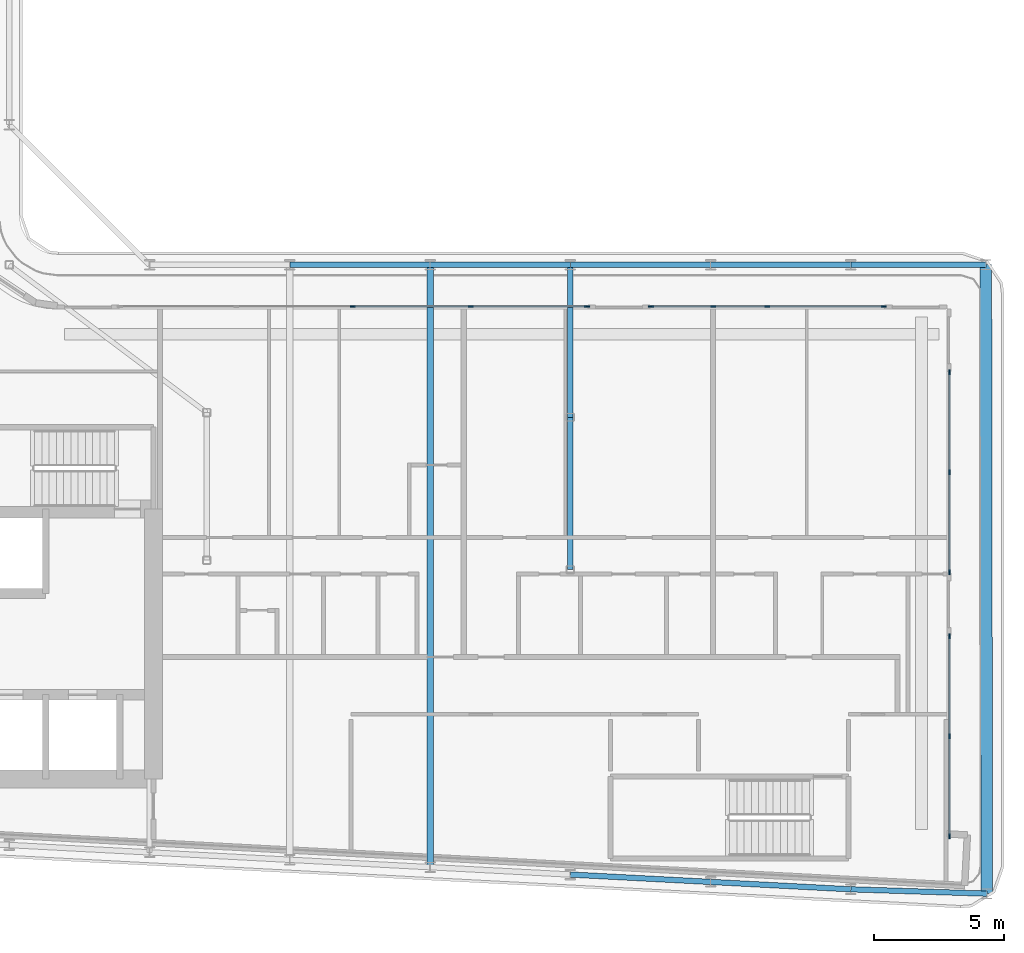
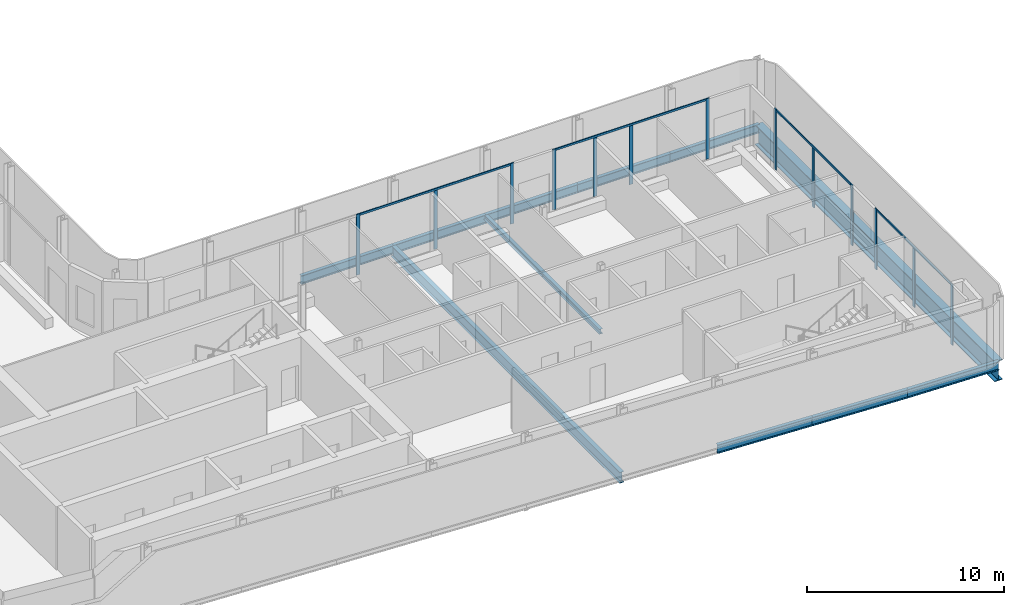
# One storey, part 5 of 21: 17 members, 12 beams, 5 elements without a shape of their own.
"""IFC4 building model written with IfcOpenShell, lengths in metres."""

from ifc_helpers import new_model, si_unit, direction, frame, origin, origin_2d, place, context, subcontext, project, spatial, rectangle, i_section, extrude, material, layer, layer_set, material_profile, profile_set, type_object, element, aggregate, save


model = new_model("IFC4")

# Units and contexts
model_context = context("Model", 3, precision=1e-05, world=origin(), true_north=direction((0.0, 1.0)))
body_context = subcontext(model_context, "Body", "Model", "MODEL_VIEW")
ifc_project = project(units=[si_unit("LENGTHUNIT", "METRE"), si_unit("AREAUNIT", "SQUARE_METRE"), si_unit("VOLUMEUNIT", "CUBIC_METRE"), si_unit("PLANEANGLEUNIT", "RADIAN"), si_unit("MASSUNIT", "GRAM", prefix="KILO")], contexts=[model_context])

# Site, building, storey
site_placement = place(None, origin())
site = spatial("IfcSite", under=ifc_project, at=site_placement, CompositionType="ELEMENT")
building_placement = place(site_placement, origin())
building = spatial("IfcBuilding", under=site, at=building_placement, Name="Kheshtan School and Residences Tower", CompositionType="ELEMENT")
storey_placement = place(building_placement, frame((0.0, 0.0, 220.10009765625)))
storey = spatial("IfcBuildingStorey", under=building, at=storey_placement, Name="L51", CompositionType="ELEMENT", Elevation=220.10009765625)

# Beams
ifc_material_1 = material(Name="Steel ASTM A992 Grade 50", Category="steel")
ifc_material_profile_1 = material_profile(ifc_material_1, i_section(OverallWidth=0.202880859375, OverallDepth=0.302978515625, WebThickness=0.007568359375, FlangeThickness=0.01318359375, FilletRadius=0.009033203125, at=origin_2d()), Name="W310x60")
ifc_profile_set_1 = profile_set([ifc_material_profile_1], Name="Steel ASTM A992 Grade 50")
beam_type_1 = type_object("IfcBeamType", Name="Beam FB1 W310x60 ASTM A992 Grade 50", PredefinedType="BEAM", material=ifc_profile_set_1)
beam_1_placement = place(storey_placement, frame((69.199951171875, 45.60009765625, -0.301513671875), z_axis=(0.0, -1.0, 0.0), x_axis=(1.0, 0.0, 0.0)))
element("IfcBeam", 1, at=beam_1_placement, inside=storey, type_object=beam_type_1, Name="Floor beam C064", PredefinedType="BEAM", context=body_context, shape_type="SweptSolid", body=[
    extrude(i_section(OverallWidth=0.202880859375, OverallDepth=0.302978515625, WebThickness=0.007568359375, FlangeThickness=0.01318359375, FilletRadius=0.009033203125, at=origin_2d()), origin(), (0.0, 0.0, 1.0), 5.8681640625),
])
beam_2_placement = place(storey_placement, frame((69.199951171875, 33.863037109375, -0.301513671875), z_axis=(0.0, 1.0, 0.0), x_axis=(-1.0, 0.0, 0.0)))
element("IfcBeam", 2, at=beam_2_placement, inside=storey, type_object=beam_type_1, Name="Floor beam IC", PredefinedType="BEAM", context=body_context, shape_type="SweptSolid", body=[
    extrude(i_section(OverallWidth=0.202880859375, OverallDepth=0.302978515625, WebThickness=0.007568359375, FlangeThickness=0.01318359375, FilletRadius=0.009033203125, at=origin_2d()), origin(), (0.0, 0.0, 1.0), 5.868896484375),
])
ifc_material_profile_2 = material_profile(ifc_material_1, i_section(OverallWidth=0.2529296875, OverallDepth=0.677978515625, WebThickness=0.01171875, FlangeThickness=0.016357421875, FilletRadius=0.0146484375, at=origin_2d()), Name="W690x125")
ifc_profile_set_2 = profile_set([ifc_material_profile_2], Name="Steel ASTM A992 Grade 50")
beam_type_2 = type_object("IfcBeamType", Name="Beam FB6 W690x125 ASTM A992 Grade 50", PredefinedType="BEAM", material=ifc_profile_set_2)
beam_3_placement = place(storey_placement, frame((63.800048828125, 22.410888671875, -0.489013671875), z_axis=(0.0, 1.0, 0.0), x_axis=(-1.0, 0.0, 0.0)))
element("IfcBeam", 3, at=beam_3_placement, inside=storey, type_object=beam_type_2, Name="Floor beam C016", PredefinedType="BEAM", context=body_context, shape_type="SweptSolid", body=[
    extrude(i_section(OverallWidth=0.2529296875, OverallDepth=0.677978515625, WebThickness=0.01171875, FlangeThickness=0.016357421875, FilletRadius=0.0146484375, at=origin_2d()), origin(), (0.0, 0.0, 1.0), 23.189208984375),
])
ifc_material_profile_3 = material_profile(ifc_material_1, i_section(OverallWidth=0.208984375, OverallDepth=0.532958984375, WebThickness=0.01025390625, FlangeThickness=0.015625, FilletRadius=0.013916015625, at=origin_2d()), Name="W530x92")
ifc_profile_set_3 = profile_set([ifc_material_profile_3], Name="Steel ASTM A992 Grade 50")
beam_type_3 = type_object("IfcBeamType", Name="Beam SP3 W530x92 ASTM A992 Grade 50", PredefinedType="BEAM", material=ifc_profile_set_3)
beam_4_placement = place(storey_placement, frame((58.39990234375, 45.60009765625, -0.41650390625), z_axis=(1.0, 0.0, 0.0), x_axis=(0.0, 1.0, 0.0)))
element("IfcBeam", 4, at=beam_4_placement, inside=storey, type_object=beam_type_3, Name="Spandrel beam C062-C063", PredefinedType="BEAM", context=body_context, shape_type="SweptSolid", body=[
    extrude(i_section(OverallWidth=0.208984375, OverallDepth=0.532958984375, WebThickness=0.01025390625, FlangeThickness=0.015625, FilletRadius=0.013916015625, at=origin_2d()), origin(), (0.0, 0.0, 1.0), 5.400146484375),
])
beam_5_placement = place(storey_placement, frame((63.800048828125, 45.60009765625, -0.41650390625), z_axis=(1.0, 0.0, 0.0), x_axis=(0.0, 1.0, 0.0)))
element("IfcBeam", 5, at=beam_5_placement, inside=storey, type_object=beam_type_3, Name="Spandrel beam C063-C064", PredefinedType="BEAM", context=body_context, shape_type="SweptSolid", body=[
    extrude(i_section(OverallWidth=0.208984375, OverallDepth=0.532958984375, WebThickness=0.01025390625, FlangeThickness=0.015625, FilletRadius=0.013916015625, at=origin_2d()), origin(), (0.0, 0.0, 1.0), 5.39990234375),
])
beam_6_placement = place(storey_placement, frame((69.199951171875, 45.60009765625, -0.41650390625), z_axis=(1.0, 0.0, 0.0), x_axis=(0.0, 1.0, 0.0)))
element("IfcBeam", 6, at=beam_6_placement, inside=storey, type_object=beam_type_3, Name="Spandrel beam C064-C065", PredefinedType="BEAM", context=body_context, shape_type="SweptSolid", body=[
    extrude(i_section(OverallWidth=0.208984375, OverallDepth=0.532958984375, WebThickness=0.01025390625, FlangeThickness=0.015625, FilletRadius=0.013916015625, at=origin_2d()), origin(), (0.0, 0.0, 1.0), 5.400146484375),
])
beam_7_placement = place(storey_placement, frame((74.60009765625, 45.60009765625, -0.41650390625), z_axis=(1.0, 0.0, 0.0), x_axis=(0.0, 1.0, 0.0)))
element("IfcBeam", 7, at=beam_7_placement, inside=storey, type_object=beam_type_3, Name="Spandrel beam C065-C066", PredefinedType="BEAM", context=body_context, shape_type="SweptSolid", body=[
    extrude(i_section(OverallWidth=0.208984375, OverallDepth=0.532958984375, WebThickness=0.01025390625, FlangeThickness=0.015625, FilletRadius=0.013916015625, at=origin_2d()), origin(), (0.0, 0.0, 1.0), 5.39990234375),
])
beam_8_placement = place(storey_placement, frame((80.0, 45.60009765625, -0.41650390625), z_axis=(0.999999135894, 0.001314614574, 0.0), x_axis=(-0.001314614574, 0.999999135894, 0.0)))
element("IfcBeam", 8, at=beam_8_placement, inside=storey, type_object=beam_type_3, Name="Spandrel beam C066-C071", PredefinedType="BEAM", context=body_context, shape_type="SweptSolid", body=[
    extrude(i_section(OverallWidth=0.208984375, OverallDepth=0.532958984375, WebThickness=0.01025390625, FlangeThickness=0.015625, FilletRadius=0.013916015625, at=origin_2d()), origin(), (0.0, 0.0, 1.0), 5.199951171875),
])
beam_9_placement = place(storey_placement, frame((85.238037109375, 21.39111328125, -0.41650390625), z_axis=(-0.999492198162, 0.031864491426, 0.0), x_axis=(-0.031864491426, -0.999492198162, 0.0)))
element("IfcBeam", 9, at=beam_9_placement, inside=storey, type_object=beam_type_3, Name="Spandrel beam C009-C012", PredefinedType="BEAM", context=body_context, shape_type="SweptSolid", body=[
    extrude(i_section(OverallWidth=0.208984375, OverallDepth=0.532958984375, WebThickness=0.01025390625, FlangeThickness=0.015625, FilletRadius=0.013916015625, at=origin_2d()), origin(), (0.0, 0.0, 1.0), 5.24072265625),
])
beam_10_placement = place(storey_placement, frame((80.0, 21.55810546875, -0.41650390625), z_axis=(-0.998610961136, 0.052689166816, 0.0), x_axis=(-0.052689166816, -0.998610961136, 0.0)))
element("IfcBeam", 10, at=beam_10_placement, inside=storey, type_object=beam_type_3, Name="Spandrel beam C012-C013", PredefinedType="BEAM", context=body_context, shape_type="SweptSolid", body=[
    extrude(i_section(OverallWidth=0.208984375, OverallDepth=0.532958984375, WebThickness=0.01025390625, FlangeThickness=0.015625, FilletRadius=0.013916015625, at=origin_2d()), origin(), (0.0, 0.0, 1.0), 5.407470703125),
])
beam_11_placement = place(storey_placement, frame((74.60009765625, 21.843017578125, -0.41650390625), z_axis=(-0.998620571751, 0.05250670125, 0.0), x_axis=(-0.05250670125, -0.998620571751, 0.0)))
element("IfcBeam", 11, at=beam_11_placement, inside=storey, type_object=beam_type_3, Name="Spandrel beam C013-C014", PredefinedType="BEAM", context=body_context, shape_type="SweptSolid", body=[
    extrude(i_section(OverallWidth=0.208984375, OverallDepth=0.532958984375, WebThickness=0.01025390625, FlangeThickness=0.015625, FilletRadius=0.013916015625, at=origin_2d()), origin(), (0.0, 0.0, 1.0), 5.40771484375),
])

# Curtain wall, member
ifc_material_2 = material(Name="Clear low-e glass in thermally broken aluminium frame", Category="aluminium")
ifc_layer = layer(ifc_material_2, 0.199951171875)
ifc_layer_set = layer_set([ifc_layer], Name="Curtain wall CW-L")
curtain_wall_type = type_object("IfcCurtainWallType", Name="Curtain wall CW-L", PredefinedType="NOTDEFINED", material=ifc_layer_set)
curtain_wall_1_placement = place(storey_placement, origin())
curtain_wall_1 = element("IfcCurtainWall", 12, at=curtain_wall_1_placement, inside=storey, type_object=curtain_wall_type, Name="Curtain wall CWL8n", PredefinedType="NOTDEFINED")
ifc_material_3 = material(Name="Thermally broken aluminium, dark bronze anodised", Category="aluminium")
ifc_material_profile_4 = material_profile(ifc_material_3, rectangle(XDim=0.06005859375, YDim=0.199951171875, at=origin_2d()), Name="CW-L mullion 60x200")
ifc_profile_set_4 = profile_set([ifc_material_profile_4], Name="Thermally broken aluminium, dark bronze anodised")
member_type_1 = type_object("IfcMemberType", Name="CW-L mullion 60x200", PredefinedType="MULLION", material=ifc_profile_set_4)
member_1_placement = place(storey_placement, frame((60.8232421875, 44.0, 0.0), z_axis=(0.0, 0.0, 1.0), x_axis=(0.0, 1.0, 0.0)))
member_1 = element("IfcMember", 13, at=member_1_placement, type_object=member_type_1, Name="CWL8n mullion 3", PredefinedType="MULLION", context=body_context, shape_type="SweptSolid", body=[
    extrude(rectangle(XDim=0.06005859375, YDim=0.199951171875, at=origin_2d()), origin(), (0.0, 0.0, 1.0), 3.75),
])
aggregate(curtain_wall_1, [member_1])

# Curtain wall, members
curtain_wall_2_placement = place(storey_placement, origin())
curtain_wall_2 = element("IfcCurtainWall", 14, at=curtain_wall_2_placement, inside=storey, type_object=curtain_wall_type, Name="Curtain wall CWL8n", PredefinedType="NOTDEFINED")
member_2_placement = place(storey_placement, frame((65.364990234375, 44.0, 0.0), z_axis=(0.0, 0.0, 1.0), x_axis=(0.0, 1.0, 0.0)))
member_2 = element("IfcMember", 15, at=member_2_placement, type_object=member_type_1, Name="CWL8n mullion 2", PredefinedType="MULLION", context=body_context, shape_type="SweptSolid", body=[
    extrude(rectangle(XDim=0.06005859375, YDim=0.199951171875, at=origin_2d()), origin(), (0.0, 0.0, 1.0), 3.6298828125),
])
member_3_placement = place(storey_placement, frame((69.8466796875, 44.0, 0.0), z_axis=(0.0, 0.0, 1.0), x_axis=(0.0, 1.0, 0.0)))
member_3 = element("IfcMember", 16, at=member_3_placement, type_object=member_type_1, Name="CWL8n mullion 3", PredefinedType="MULLION", context=body_context, shape_type="SweptSolid", body=[
    extrude(rectangle(XDim=0.06005859375, YDim=0.199951171875, at=origin_2d()), origin(), (0.0, 0.0, 1.0), 3.75),
])

curtain_wall_3_placement = place(storey_placement, origin())
curtain_wall_3 = element("IfcCurtainWall", 17, at=curtain_wall_3_placement, inside=storey, type_object=curtain_wall_type, Name="Curtain wall CWL8o", PredefinedType="NOTDEFINED")
member_4_placement = place(storey_placement, frame((72.306640625, 44.0, 0.0), z_axis=(0.0, 0.0, 1.0), x_axis=(0.0, 1.0, 0.0)))
member_4 = element("IfcMember", 18, at=member_4_placement, type_object=member_type_1, Name="CWL8o mullion 1", PredefinedType="MULLION", context=body_context, shape_type="SweptSolid", body=[
    extrude(rectangle(XDim=0.06005859375, YDim=0.199951171875, at=origin_2d()), origin(), (0.0, 0.0, 1.0), 3.75),
])
member_5_placement = place(storey_placement, frame((74.699951171875, 44.0, 0.0), z_axis=(0.0, 0.0, 1.0), x_axis=(0.0, 1.0, 0.0)))
member_5 = element("IfcMember", 19, at=member_5_placement, type_object=member_type_1, Name="CWL8o mullion 2", PredefinedType="MULLION", context=body_context, shape_type="SweptSolid", body=[
    extrude(rectangle(XDim=0.06005859375, YDim=0.199951171875, at=origin_2d()), origin(), (0.0, 0.0, 1.0), 3.6298828125),
])
member_6_placement = place(storey_placement, frame((76.788330078125, 44.0, 0.0), z_axis=(0.0, 0.0, 1.0), x_axis=(0.0, 1.0, 0.0)))
member_6 = element("IfcMember", 20, at=member_6_placement, type_object=member_type_1, Name="CWL8o mullion 3", PredefinedType="MULLION", context=body_context, shape_type="SweptSolid", body=[
    extrude(rectangle(XDim=0.06005859375, YDim=0.199951171875, at=origin_2d()), origin(), (0.0, 0.0, 1.0), 3.6298828125),
])
member_7_placement = place(storey_placement, frame((81.27001953125, 44.0, 0.0), z_axis=(0.0, 0.0, 1.0), x_axis=(0.0, 1.0, 0.0)))
member_7 = element("IfcMember", 21, at=member_7_placement, type_object=member_type_1, Name="CWL8o mullion 4", PredefinedType="MULLION", context=body_context, shape_type="SweptSolid", body=[
    extrude(rectangle(XDim=0.06005859375, YDim=0.199951171875, at=origin_2d()), origin(), (0.0, 0.0, 1.0), 3.75),
])

curtain_wall_4_placement = place(storey_placement, origin())
curtain_wall_4 = element("IfcCurtainWall", 22, at=curtain_wall_4_placement, inside=storey, type_object=curtain_wall_type, Name="Curtain wall CWL9a", PredefinedType="NOTDEFINED")
member_8_placement = place(storey_placement, frame((83.800048828125, 41.469970703125, 0.0), z_axis=(0.0, 0.0, 1.0), x_axis=(1.0, 0.0, 0.0)))
member_8 = element("IfcMember", 23, at=member_8_placement, type_object=member_type_1, Name="CWL9a mullion 1", PredefinedType="MULLION", context=body_context, shape_type="SweptSolid", body=[
    extrude(rectangle(XDim=0.06005859375, YDim=0.199951171875, at=origin_2d()), origin(), (0.0, 0.0, 1.0), 3.75),
])
member_9_placement = place(storey_placement, frame((83.800048828125, 37.61669921875, 0.0), z_axis=(0.0, 0.0, 1.0), x_axis=(1.0, 0.0, 0.0)))
member_9 = element("IfcMember", 24, at=member_9_placement, type_object=member_type_1, Name="CWL9a mullion 2", PredefinedType="MULLION", context=body_context, shape_type="SweptSolid", body=[
    extrude(rectangle(XDim=0.06005859375, YDim=0.199951171875, at=origin_2d()), origin(), (0.0, 0.0, 1.0), 3.6298828125),
])
member_10_placement = place(storey_placement, frame((83.800048828125, 33.763427734375, 0.0), z_axis=(0.0, 0.0, 1.0), x_axis=(1.0, 0.0, 0.0)))
member_10 = element("IfcMember", 25, at=member_10_placement, type_object=member_type_1, Name="CWL9a mullion 3", PredefinedType="MULLION", context=body_context, shape_type="SweptSolid", body=[
    extrude(rectangle(XDim=0.06005859375, YDim=0.199951171875, at=origin_2d()), origin(), (0.0, 0.0, 1.0), 3.75),
])

curtain_wall_5_placement = place(storey_placement, origin())
curtain_wall_5 = element("IfcCurtainWall", 26, at=curtain_wall_5_placement, inside=storey, type_object=curtain_wall_type, Name="Curtain wall CWL9a", PredefinedType="NOTDEFINED")
member_11_placement = place(storey_placement, frame((83.800048828125, 31.303466796875, 0.0), z_axis=(0.0, 0.0, 1.0), x_axis=(1.0, 0.0, 0.0)))
member_11 = element("IfcMember", 27, at=member_11_placement, type_object=member_type_1, Name="CWL9a mullion 1", PredefinedType="MULLION", context=body_context, shape_type="SweptSolid", body=[
    extrude(rectangle(XDim=0.06005859375, YDim=0.199951171875, at=origin_2d()), origin(), (0.0, 0.0, 1.0), 3.75),
])
member_12_placement = place(storey_placement, frame((83.800048828125, 27.4501953125, 0.0), z_axis=(0.0, 0.0, 1.0), x_axis=(1.0, 0.0, 0.0)))
member_12 = element("IfcMember", 28, at=member_12_placement, type_object=member_type_1, Name="CWL9a mullion 2", PredefinedType="MULLION", context=body_context, shape_type="SweptSolid", body=[
    extrude(rectangle(XDim=0.06005859375, YDim=0.199951171875, at=origin_2d()), origin(), (0.0, 0.0, 1.0), 3.6298828125),
])
member_13_placement = place(storey_placement, frame((83.800048828125, 23.596923828125, 0.0), z_axis=(0.0, 0.0, 1.0), x_axis=(1.0, 0.0, 0.0)))
member_13 = element("IfcMember", 29, at=member_13_placement, type_object=member_type_1, Name="CWL9a mullion 3", PredefinedType="MULLION", context=body_context, shape_type="SweptSolid", body=[
    extrude(rectangle(XDim=0.06005859375, YDim=0.199951171875, at=origin_2d()), origin(), (0.0, 0.0, 1.0), 3.75),
])

# Member
ifc_material_profile_5 = material_profile(ifc_material_3, rectangle(XDim=0.06005859375, YDim=0.1201171875, at=origin_2d()), Name="CW-L transom 60x120")
ifc_profile_set_5 = profile_set([ifc_material_profile_5], Name="Thermally broken aluminium, dark bronze anodised")
member_type_2 = type_object("IfcMemberType", Name="CW-L transom 60x120", PredefinedType="USERDEFINED", material=ifc_profile_set_5)
member_14_placement = place(storey_placement, frame((60.853271484375, 44.0, 3.68994140625), z_axis=(1.0, 0.0, 0.0), x_axis=(0.0, 1.0, 0.0)))
member_14 = element("IfcMember", 30, at=member_14_placement, type_object=member_type_2, Name="CWL8n transom 1", ObjectType="TRANSOM", PredefinedType="USERDEFINED", context=body_context, shape_type="SweptSolid", body=[
    extrude(rectangle(XDim=0.06005859375, YDim=0.1201171875, at=origin_2d()), origin(), (0.0, 0.0, 1.0), 8.96337890625),
])

aggregate(curtain_wall_2, [member_2, member_3, member_14])

member_15_placement = place(storey_placement, frame((72.336669921875, 44.0, 3.68994140625), z_axis=(1.0, 0.0, 0.0), x_axis=(0.0, 1.0, 0.0)))
member_15 = element("IfcMember", 31, at=member_15_placement, type_object=member_type_2, Name="CWL8o transom 1", ObjectType="TRANSOM", PredefinedType="USERDEFINED", context=body_context, shape_type="SweptSolid", body=[
    extrude(rectangle(XDim=0.06005859375, YDim=0.1201171875, at=origin_2d()), origin(), (0.0, 0.0, 1.0), 8.9033203125),
])

aggregate(curtain_wall_3, [member_4, member_5, member_6, member_7, member_15])

member_16_placement = place(storey_placement, frame((83.800048828125, 41.43994140625, 3.68994140625), z_axis=(0.0, -1.0, 0.0), x_axis=(1.0, 0.0, 0.0)))
member_16 = element("IfcMember", 32, at=member_16_placement, type_object=member_type_2, Name="CWL9a transom 1", ObjectType="TRANSOM", PredefinedType="USERDEFINED", context=body_context, shape_type="SweptSolid", body=[
    extrude(rectangle(XDim=0.06005859375, YDim=0.1201171875, at=origin_2d()), origin(), (0.0, 0.0, 1.0), 7.646484375),
])

aggregate(curtain_wall_4, [member_8, member_9, member_10, member_16])

member_17_placement = place(storey_placement, frame((83.800048828125, 31.2734375, 3.68994140625), z_axis=(0.0, -1.0, 0.0), x_axis=(1.0, 0.0, 0.0)))
member_17 = element("IfcMember", 33, at=member_17_placement, type_object=member_type_2, Name="CWL9a transom 1", ObjectType="TRANSOM", PredefinedType="USERDEFINED", context=body_context, shape_type="SweptSolid", body=[
    extrude(rectangle(XDim=0.06005859375, YDim=0.1201171875, at=origin_2d()), origin(), (0.0, 0.0, 1.0), 7.646484375),
])

aggregate(curtain_wall_5, [member_11, member_12, member_13, member_17])

# Beam
ifc_material_profile_6 = material_profile(ifc_material_1, i_section(OverallWidth=0.449951171875, OverallDepth=1.25, WebThickness=0.02490234375, FlangeThickness=0.044921875, FilletRadius=0.03759765625, at=origin_2d()), Name="WWF1250x546")
ifc_profile_set_6 = profile_set([ifc_material_profile_6], Name="Steel ASTM A992 Grade 50")
beam_type_4 = type_object("IfcBeamType", Name="Transfer girder TG4 WWF1250x546 ASTM A992 Grade 50", PredefinedType="BEAM", material=ifc_profile_set_6)
beam_12_placement = place(storey_placement, frame((85.199951171875, 45.60693359375, -0.775146484375), z_axis=(0.001572768954, -0.999998763198, 0.0), x_axis=(0.999998763198, 0.001572768954, 0.0)))
element("IfcBeam", 34, at=beam_12_placement, inside=storey, type_object=beam_type_4, Name="Transfer girder C071-C009", PredefinedType="BEAM", context=body_context, shape_type="SweptSolid", body=[
    extrude(i_section(OverallWidth=0.449951171875, OverallDepth=1.25, WebThickness=0.02490234375, FlangeThickness=0.044921875, FilletRadius=0.03759765625, at=origin_2d()), origin(), (0.0, 0.0, 1.0), 24.2158203125),
])

save(model, "model.ifc")
